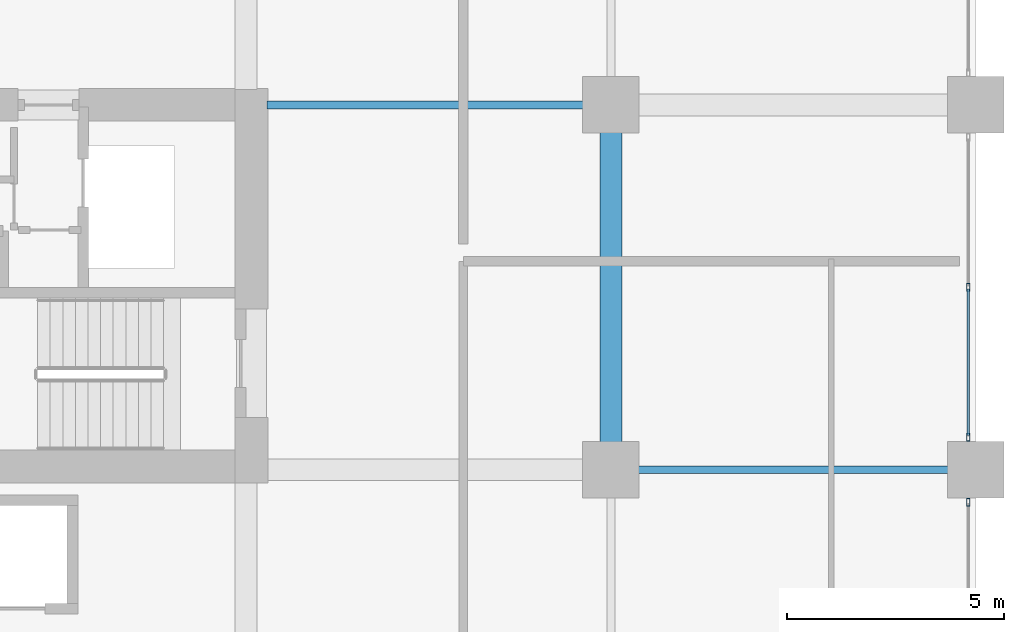
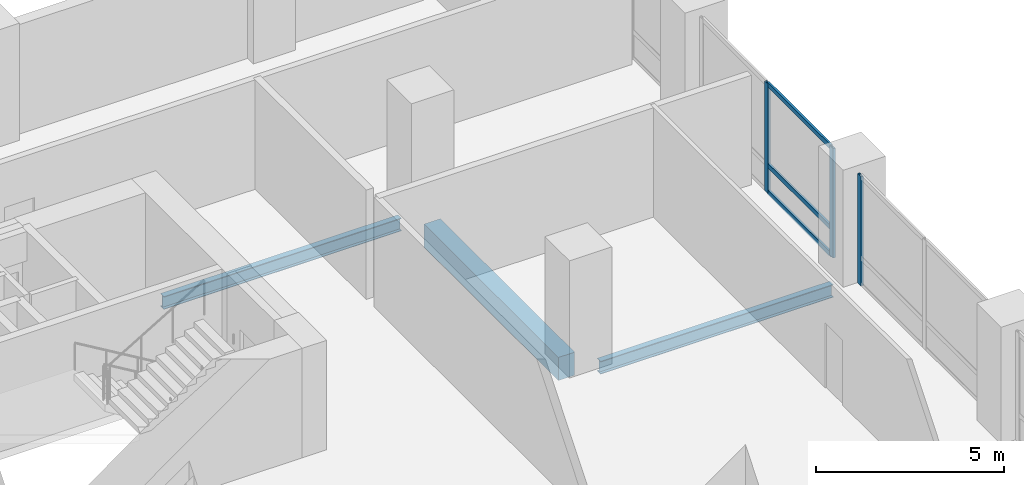
# One storey, part 5 of 23: 6 members, 3 beams, 2 elements without a shape of their own.
"""IFC4 building model written with IfcOpenShell, lengths in metres."""

from ifc_helpers import new_model, si_unit, direction, frame, origin, origin_2d, place, context, subcontext, project, spatial, rectangle, hollow_rectangle, i_section, extrude, material, layer, layer_set, material_profile, profile_set, type_object, element, aggregate, save


model = new_model("IFC4")

# Units and contexts
model_context = context("Model", 3, precision=1e-05, world=origin(), true_north=direction((0.0, 1.0)))
body_context = subcontext(model_context, "Body", "Model", "MODEL_VIEW")
ifc_project = project(units=[si_unit("LENGTHUNIT", "METRE"), si_unit("AREAUNIT", "SQUARE_METRE"), si_unit("VOLUMEUNIT", "CUBIC_METRE"), si_unit("PLANEANGLEUNIT", "RADIAN"), si_unit("MASSUNIT", "GRAM", prefix="KILO")], contexts=[model_context])

# Site, building, storey
site_placement = place(None, origin())
site = spatial("IfcSite", under=ifc_project, at=site_placement, CompositionType="ELEMENT")
building_placement = place(site_placement, origin())
building = spatial("IfcBuilding", under=site, at=building_placement, Name="Koriwani Terraces Tower", CompositionType="ELEMENT")
storey_placement = place(building_placement, frame((0.0, 0.0, 134.199951171875)))
storey = spatial("IfcBuildingStorey", under=building, at=storey_placement, Name="L32", CompositionType="ELEMENT", Elevation=134.199951171875)

# Beam
ifc_material_1 = material(Name="Concrete C50/60", Category="concrete")
ifc_material_profile_1 = material_profile(ifc_material_1, rectangle(XDim=0.5, YDim=0.75, at=origin_2d()), Name="Concrete C50/60", Category="LoadBearing")
ifc_profile_set_1 = profile_set([ifc_material_profile_1], Name="Concrete C50/60")
beam_type_1 = type_object("IfcBeamType", Name="BEAM_RC_GRID_500X750", PredefinedType="BEAM", material=ifc_profile_set_1)
beam_1_placement = place(storey_placement, frame((67.199951171875, 17.429931640625, -0.625), z_axis=(0.0, 1.0, 0.0), x_axis=(-1.0, 0.0, 0.0)))
element("IfcBeam", 1, at=beam_1_placement, inside=storey, type_object=beam_type_1, Name="L32 Grid Beam 9 (16.8-25.2m)", PredefinedType="BEAM", context=body_context, shape_type="SweptSolid", body=[
    extrude(rectangle(XDim=0.5, YDim=0.75, at=origin_2d()), origin(), (0.0, 0.0, 1.0), 7.14013671875),
])

# Curtain wall, members
ifc_material_2 = material(Name="Anodised Bronze Aluminium", Category="aluminium")
ifc_layer = layer(ifc_material_2, 0.179931640625, Name="Anodised Bronze Aluminium")
ifc_layer_set = layer_set([ifc_layer], Name="Anodised Bronze Aluminium")
curtain_wall_type = type_object("IfcCurtainWallType", Name="CW_HOTEL_ZONE2", PredefinedType="NOTDEFINED", material=ifc_layer_set)
curtain_wall_1_placement = place(storey_placement, origin())
curtain_wall_1 = element("IfcCurtainWall", 2, at=curtain_wall_1_placement, inside=storey, type_object=curtain_wall_type, Name="L32 Unitised Curtain Wall (E_TIP) Bay 2", PredefinedType="NOTDEFINED")
ifc_material_profile_2 = material_profile(ifc_material_2, hollow_rectangle(XDim=0.074951171875, YDim=0.179931640625, WallThickness=0.006103515625, at=origin_2d()), Name="Anodised Bronze Aluminium", Category="LoadBearing")
ifc_profile_set_2 = profile_set([ifc_material_profile_2], Name="Anodised Bronze Aluminium")
member_type_1 = type_object("IfcMemberType", Name="CW_MULLION_180X75", PredefinedType="MULLION", material=ifc_profile_set_2)
member_1_placement = place(storey_placement, frame((75.425048828125, 21.0, 0.0), z_axis=(0.0, 0.0, 1.0), x_axis=(1.0, 0.0, 0.0)))
member_1 = element("IfcMember", 3, at=member_1_placement, type_object=member_type_1, Name="CW-Z2 mullion 2", PredefinedType="MULLION", context=body_context, shape_type="SweptSolid", body=[
    extrude(hollow_rectangle(XDim=0.074951171875, YDim=0.179931640625, WallThickness=0.006103515625, at=origin_2d()), origin(), (0.0, 0.0, 1.0), 3.550048828125),
])
member_2_placement = place(storey_placement, frame((75.425048828125, 17.547607421875, 0.0), z_axis=(0.0, 0.0, 1.0), x_axis=(1.0, 0.0, 0.0)))
member_2 = element("IfcMember", 4, at=member_2_placement, type_object=member_type_1, Name="CW-Z2 mullion 3", PredefinedType="MULLION", context=body_context, shape_type="SweptSolid", body=[
    extrude(hollow_rectangle(XDim=0.074951171875, YDim=0.179931640625, WallThickness=0.006103515625, at=origin_2d()), origin(), (0.0, 0.0, 1.0), 3.550048828125),
])

# Curtain wall, member
curtain_wall_2_placement = place(storey_placement, origin())
curtain_wall_2 = element("IfcCurtainWall", 5, at=curtain_wall_2_placement, inside=storey, type_object=curtain_wall_type, Name="L32 Unitised Curtain Wall (E_TIP) Bay 3", PredefinedType="NOTDEFINED")
member_3_placement = place(storey_placement, frame((75.425048828125, 16.052490234375, 0.0), z_axis=(0.0, 0.0, 1.0), x_axis=(1.0, 0.0, 0.0)))
member_3 = element("IfcMember", 6, at=member_3_placement, type_object=member_type_1, Name="CW-Z2 mullion 1", PredefinedType="MULLION", context=body_context, shape_type="SweptSolid", body=[
    extrude(hollow_rectangle(XDim=0.074951171875, YDim=0.179931640625, WallThickness=0.006103515625, at=origin_2d()), origin(), (0.0, 0.0, 1.0), 3.550048828125),
])
aggregate(curtain_wall_2, [member_3])

# Member
ifc_material_profile_3 = material_profile(ifc_material_2, hollow_rectangle(XDim=0.06494140625, YDim=0.14990234375, WallThickness=0.0048828125, at=origin_2d()), Name="Anodised Bronze Aluminium", Category="LoadBearing")
ifc_profile_set_3 = profile_set([ifc_material_profile_3], Name="Anodised Bronze Aluminium")
member_type_2 = type_object("IfcMemberType", Name="CW_TRANSOM_150X65", PredefinedType="USERDEFINED", material=ifc_profile_set_3)
member_4_placement = place(storey_placement, frame((75.425048828125, 20.96240234375, 0.032470703125), z_axis=(0.0, -1.0, 0.0), x_axis=(1.0, 0.0, 0.0)))
member_4 = element("IfcMember", 7, at=member_4_placement, type_object=member_type_2, Name="CW-Z2 transom 2.1", ObjectType="TRANSOM", PredefinedType="USERDEFINED", context=body_context, shape_type="SweptSolid", body=[
    extrude(hollow_rectangle(XDim=0.06494140625, YDim=0.14990234375, WallThickness=0.0048828125, at=origin_2d()), origin(), (0.0, 0.0, 1.0), 3.37744140625),
])

member_5_placement = place(storey_placement, frame((75.425048828125, 20.96240234375, 0.900146484375), z_axis=(0.0, -1.0, 0.0), x_axis=(1.0, 0.0, 0.0)))
member_5 = element("IfcMember", 8, at=member_5_placement, type_object=member_type_2, Name="CW-Z2 transom 2.2", ObjectType="TRANSOM", PredefinedType="USERDEFINED", context=body_context, shape_type="SweptSolid", body=[
    extrude(hollow_rectangle(XDim=0.06494140625, YDim=0.14990234375, WallThickness=0.0048828125, at=origin_2d()), origin(), (0.0, 0.0, 1.0), 3.37744140625),
])

member_6_placement = place(storey_placement, frame((75.425048828125, 20.96240234375, 3.517578125), z_axis=(0.0, -1.0, 0.0), x_axis=(1.0, 0.0, 0.0)))
member_6 = element("IfcMember", 9, at=member_6_placement, type_object=member_type_2, Name="CW-Z2 transom 2.3", ObjectType="TRANSOM", PredefinedType="USERDEFINED", context=body_context, shape_type="SweptSolid", body=[
    extrude(hollow_rectangle(XDim=0.06494140625, YDim=0.14990234375, WallThickness=0.0048828125, at=origin_2d()), origin(), (0.0, 0.0, 1.0), 3.37744140625),
])

aggregate(curtain_wall_1, [member_1, member_2, member_4, member_5, member_6])

# Beams
ifc_material_3 = material(Name="Steel ASTM A572 Grade 50", Category="steel")
ifc_material_profile_4 = material_profile(ifc_material_3, i_section(OverallWidth=0.180908203125, OverallDepth=0.4169921875, WebThickness=0.010986328125, FlangeThickness=0.018310546875, at=origin_2d()), Name="Steel ASTM A572 Grade 50", Category="LoadBearing")
ifc_profile_set_4 = profile_set([ifc_material_profile_4], Name="Steel ASTM A572 Grade 50")
beam_type_2 = type_object("IfcBeamType", Name="STEEL_BEAM_W410X85", PredefinedType="JOIST", material=ifc_profile_set_4)
beam_2_placement = place(storey_placement, frame((67.830078125, 16.800048828125, -0.45849609375), z_axis=(1.0, 0.0, 0.0), x_axis=(0.0, 1.0, 0.0)))
element("IfcBeam", 10, at=beam_2_placement, inside=storey, type_object=beam_type_2, Name="L32 Grid Beam C (67.2-75.6m)", PredefinedType="JOIST", context=body_context, shape_type="SweptSolid", body=[
    extrude(i_section(OverallWidth=0.180908203125, OverallDepth=0.4169921875, WebThickness=0.010986328125, FlangeThickness=0.018310546875, at=origin_2d()), origin(), (0.0, 0.0, 1.0), 7.139892578125),
])
beam_3_placement = place(storey_placement, frame((59.280029296875, 25.199951171875, -0.45849609375), z_axis=(1.0, 0.0, 0.0), x_axis=(0.0, 1.0, 0.0)))
element("IfcBeam", 11, at=beam_3_placement, inside=storey, type_object=beam_type_2, Name="L32 Grid Beam D (58.8-67.2m)", PredefinedType="JOIST", context=body_context, shape_type="SweptSolid", body=[
    extrude(i_section(OverallWidth=0.180908203125, OverallDepth=0.4169921875, WebThickness=0.010986328125, FlangeThickness=0.018310546875, at=origin_2d()), origin(), (0.0, 0.0, 1.0), 7.2900390625),
])

save(model, "model.ifc")
